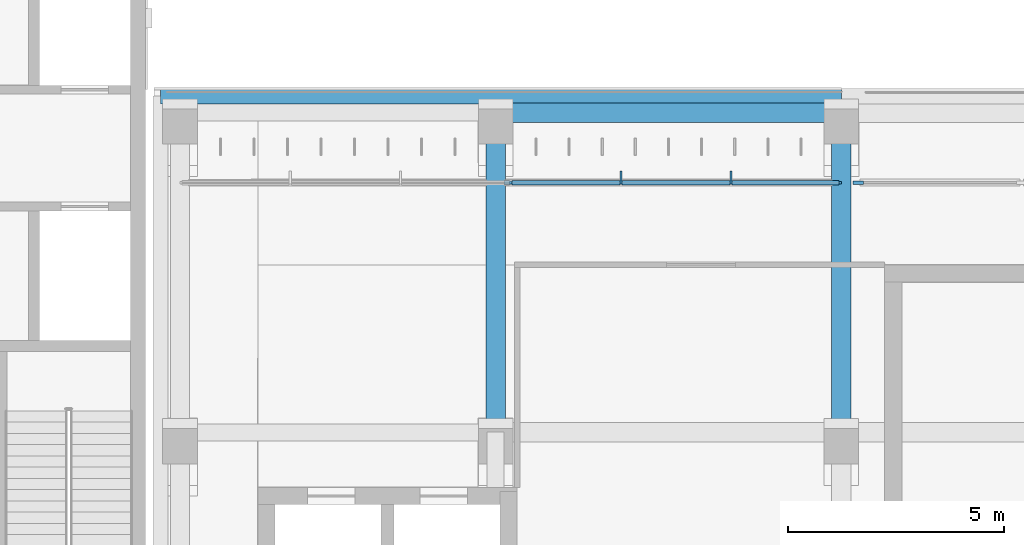
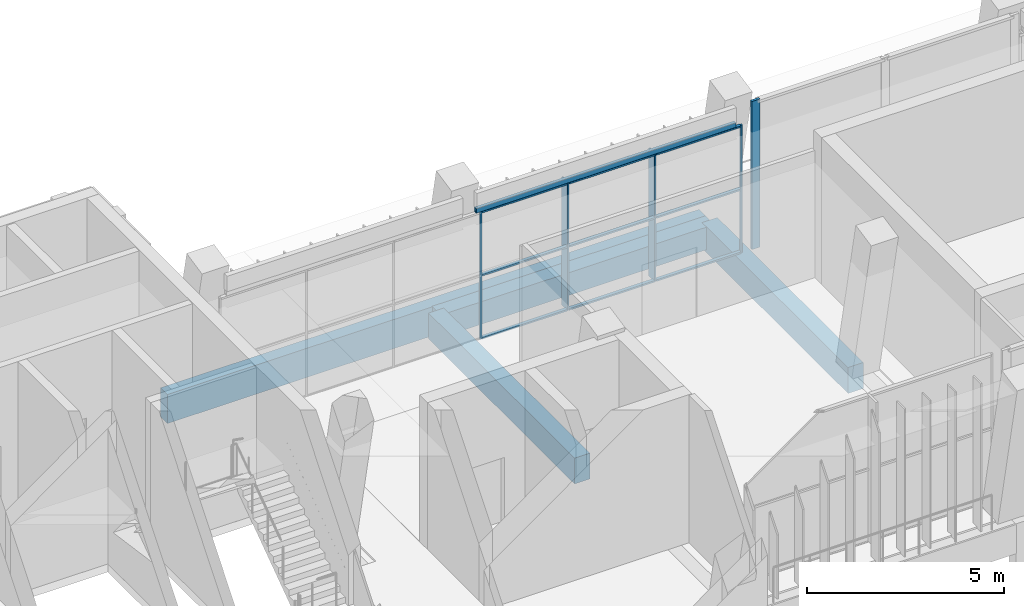
# One storey, part 15 of 89: 14 members, 5 beams, 2 elements without a shape of their own.
"""IFC4 building model written with IfcOpenShell, lengths in metres."""

from ifc_helpers import new_model, si_unit, direction, frame, origin, origin_2d, place, context, subcontext, project, spatial, rectangle, hollow_rectangle, extrude, material, material_profile, profile_set, type_object, element, aggregate, save


model = new_model("IFC4")

# Units and contexts
model_context = context("Model", 3, precision=1e-05, world=origin(), true_north=direction((0.0, 1.0)))
body_context = subcontext(model_context, "Body", "Model", "MODEL_VIEW")
ifc_project = project(units=[si_unit("LENGTHUNIT", "METRE"), si_unit("AREAUNIT", "SQUARE_METRE"), si_unit("VOLUMEUNIT", "CUBIC_METRE"), si_unit("PLANEANGLEUNIT", "RADIAN"), si_unit("MASSUNIT", "GRAM", prefix="KILO")], contexts=[model_context])

# Site, building, storey
site_placement = place(None, origin())
site = spatial("IfcSite", under=ifc_project, at=site_placement, CompositionType="ELEMENT")
building_placement = place(site_placement, origin())
building = spatial("IfcBuilding", under=site, at=building_placement, Name="Lantern Court Media Centre", CompositionType="ELEMENT")
storey_placement = place(building_placement, frame((0.0, 0.0, 14.39990234375)))
storey = spatial("IfcBuildingStorey", under=building, at=storey_placement, Name="L03", CompositionType="ELEMENT", Elevation=14.39990234375)

# Curtain wall, members
ifc_material_1 = material(Name="Curtain wall bay 2400")
curtain_wall_type_1 = type_object("IfcCurtainWallType", Name="Curtain wall bay 2400", PredefinedType="NOTDEFINED", material=ifc_material_1)
curtain_wall_1_placement = place(storey_placement, origin())
curtain_wall_1 = element("IfcCurtainWall", 1, at=curtain_wall_1_placement, inside=storey, type_object=curtain_wall_type_1, Name="Curtain wall S inner L03", PredefinedType="NOTDEFINED")
ifc_material_2 = material(Name="Anodised aluminium", Category="aluminium")
ifc_material_profile_1 = material_profile(ifc_material_2, rectangle(XDim=0.300048828125, YDim=0.050048828125, at=origin_2d()), Name="AL 50x300")
ifc_profile_set_1 = profile_set([ifc_material_profile_1], Name="Anodised aluminium")
member_type_1 = type_object("IfcMemberType", Name="Curtain wall mullion 50x300", PredefinedType="MULLION", material=ifc_profile_set_1)
member_1_placement = place(storey_placement, frame((34.89990234375, 58.969970703125, 0.0), z_axis=(0.0, 0.0, 1.0), x_axis=(0.0, 1.0, 0.0)))
member_1 = element("IfcMember", 2, at=member_1_placement, type_object=member_type_1, Name="CW2 mullion 5", PredefinedType="MULLION", context=body_context, shape_type="SweptSolid", body=[
    extrude(rectangle(XDim=0.300048828125, YDim=0.050048828125, at=origin_2d()), origin(), (0.0, 0.0, 1.0), 3.9501953125),
])
member_2_placement = place(storey_placement, frame((37.449951171875, 58.969970703125, 0.0), z_axis=(0.0, 0.0, 1.0), x_axis=(0.0, 1.0, 0.0)))
member_2 = element("IfcMember", 3, at=member_2_placement, type_object=member_type_1, Name="CW2 mullion 6", PredefinedType="MULLION", context=body_context, shape_type="SweptSolid", body=[
    extrude(rectangle(XDim=0.300048828125, YDim=0.050048828125, at=origin_2d()), origin(), (0.0, 0.0, 1.0), 3.9501953125),
])
ifc_material_profile_2 = material_profile(ifc_material_2, rectangle(XDim=0.06005859375, YDim=0.050048828125, at=origin_2d()), Name="AL 50x60")
ifc_profile_set_2 = profile_set([ifc_material_profile_2], Name="Anodised aluminium")
member_type_2 = type_object("IfcMemberType", Name="Curtain wall mullion 50x60", PredefinedType="MULLION", material=ifc_profile_set_2)
member_3_placement = place(storey_placement, frame((32.35009765625, 58.85009765625, 0.0), z_axis=(0.0, 0.0, 1.0), x_axis=(0.0, 1.0, 0.0)))
member_3 = element("IfcMember", 4, at=member_3_placement, type_object=member_type_2, Name="CW2 mullion 4", PredefinedType="MULLION", context=body_context, shape_type="SweptSolid", body=[
    extrude(rectangle(XDim=0.06005859375, YDim=0.050048828125, at=origin_2d()), origin(), (0.0, 0.0, 1.0), 3.9501953125),
])
member_4_placement = place(storey_placement, frame((39.97509765625, 58.85009765625, 0.0), z_axis=(0.0, 0.0, 1.0), x_axis=(0.0, 1.0, 0.0)))
member_4 = element("IfcMember", 5, at=member_4_placement, type_object=member_type_2, Name="CW2 mullion 7", PredefinedType="MULLION", context=body_context, shape_type="SweptSolid", body=[
    extrude(rectangle(XDim=0.06005859375, YDim=0.050048828125, at=origin_2d()), origin(), (0.0, 0.0, 1.0), 3.9501953125),
])

# Curtain wall, member
ifc_material_3 = material(Name="Curtain wall bay 4000")
curtain_wall_type_2 = type_object("IfcCurtainWallType", Name="Curtain wall bay 4000", PredefinedType="NOTDEFINED", material=ifc_material_3)
curtain_wall_2_placement = place(storey_placement, origin())
curtain_wall_2 = element("IfcCurtainWall", 6, at=curtain_wall_2_placement, inside=storey, type_object=curtain_wall_type_2, Name="Curtain wall S inner L03", PredefinedType="NOTDEFINED")
ifc_material_profile_3 = material_profile(ifc_material_2, rectangle(XDim=0.080078125, YDim=0.239990234375, at=origin_2d()), Name="AL 80x240")
ifc_profile_set_3 = profile_set([ifc_material_profile_3], Name="Anodised aluminium")
member_type_3 = type_object("IfcMemberType", Name="Curtain wall mullion 80x240", PredefinedType="MULLION", material=ifc_profile_set_3)
member_5_placement = place(storey_placement, frame((40.389892578125, 58.85009765625, 0.0), z_axis=(0.0, 0.0, 1.0), x_axis=(0.0, 1.0, 0.0)))
member_5 = element("IfcMember", 7, at=member_5_placement, type_object=member_type_3, Name="CW3 mullion 1", PredefinedType="MULLION", context=body_context, shape_type="SweptSolid", body=[
    extrude(rectangle(XDim=0.080078125, YDim=0.239990234375, at=origin_2d()), origin(), (0.0, 0.0, 1.0), 4.580078125),
])
aggregate(curtain_wall_2, [member_5])

# Member
ifc_material_profile_4 = material_profile(ifc_material_2, rectangle(XDim=0.10009765625, YDim=0.050048828125, at=origin_2d()), Name="AL 50x100")
ifc_profile_set_4 = profile_set([ifc_material_profile_4], Name="Anodised aluminium")
member_type_4 = type_object("IfcMemberType", Name="Curtain wall transom 100x50", PredefinedType="USERDEFINED", material=ifc_profile_set_4)
member_6_placement = place(storey_placement, frame((32.375, 58.85009765625, 0.025146484375), z_axis=(1.0, 0.0, 0.0), x_axis=(0.0, 1.0, 0.0)))
member_6 = element("IfcMember", 8, at=member_6_placement, type_object=member_type_4, Name="CW2 transom 4.1", ObjectType="TRANSOM", PredefinedType="USERDEFINED", context=body_context, shape_type="SweptSolid", body=[
    extrude(rectangle(XDim=0.10009765625, YDim=0.050048828125, at=origin_2d()), origin(), (0.0, 0.0, 1.0), 2.5),
])

member_7_placement = place(storey_placement, frame((32.375, 58.85009765625, 1.97509765625), z_axis=(1.0, 0.0, 0.0), x_axis=(0.0, 1.0, 0.0)))
member_7 = element("IfcMember", 9, at=member_7_placement, type_object=member_type_4, Name="CW2 transom 4.2", ObjectType="TRANSOM", PredefinedType="USERDEFINED", context=body_context, shape_type="SweptSolid", body=[
    extrude(rectangle(XDim=0.10009765625, YDim=0.050048828125, at=origin_2d()), origin(), (0.0, 0.0, 1.0), 2.5),
])

member_8_placement = place(storey_placement, frame((32.375, 58.85009765625, 3.925048828125), z_axis=(1.0, 0.0, 0.0), x_axis=(0.0, 1.0, 0.0)))
member_8 = element("IfcMember", 10, at=member_8_placement, type_object=member_type_4, Name="CW2 transom 4.3", ObjectType="TRANSOM", PredefinedType="USERDEFINED", context=body_context, shape_type="SweptSolid", body=[
    extrude(rectangle(XDim=0.10009765625, YDim=0.050048828125, at=origin_2d()), origin(), (0.0, 0.0, 1.0), 2.5),
])

member_9_placement = place(storey_placement, frame((34.925048828125, 58.85009765625, 0.025146484375), z_axis=(1.0, 0.0, 0.0), x_axis=(0.0, 1.0, 0.0)))
member_9 = element("IfcMember", 11, at=member_9_placement, type_object=member_type_4, Name="CW2 transom 5.1", ObjectType="TRANSOM", PredefinedType="USERDEFINED", context=body_context, shape_type="SweptSolid", body=[
    extrude(rectangle(XDim=0.10009765625, YDim=0.050048828125, at=origin_2d()), origin(), (0.0, 0.0, 1.0), 2.5),
])

member_10_placement = place(storey_placement, frame((34.925048828125, 58.85009765625, 1.97509765625), z_axis=(1.0, 0.0, 0.0), x_axis=(0.0, 1.0, 0.0)))
member_10 = element("IfcMember", 12, at=member_10_placement, type_object=member_type_4, Name="CW2 transom 5.2", ObjectType="TRANSOM", PredefinedType="USERDEFINED", context=body_context, shape_type="SweptSolid", body=[
    extrude(rectangle(XDim=0.10009765625, YDim=0.050048828125, at=origin_2d()), origin(), (0.0, 0.0, 1.0), 2.5),
])

member_11_placement = place(storey_placement, frame((34.925048828125, 58.85009765625, 3.925048828125), z_axis=(1.0, 0.0, 0.0), x_axis=(0.0, 1.0, 0.0)))
member_11 = element("IfcMember", 13, at=member_11_placement, type_object=member_type_4, Name="CW2 transom 5.3", ObjectType="TRANSOM", PredefinedType="USERDEFINED", context=body_context, shape_type="SweptSolid", body=[
    extrude(rectangle(XDim=0.10009765625, YDim=0.050048828125, at=origin_2d()), origin(), (0.0, 0.0, 1.0), 2.5),
])

member_12_placement = place(storey_placement, frame((37.47509765625, 58.85009765625, 0.025146484375), z_axis=(1.0, 0.0, 0.0), x_axis=(0.0, 1.0, 0.0)))
member_12 = element("IfcMember", 14, at=member_12_placement, type_object=member_type_4, Name="CW2 transom 6.1", ObjectType="TRANSOM", PredefinedType="USERDEFINED", context=body_context, shape_type="SweptSolid", body=[
    extrude(rectangle(XDim=0.10009765625, YDim=0.050048828125, at=origin_2d()), origin(), (0.0, 0.0, 1.0), 2.474853515625),
])

member_13_placement = place(storey_placement, frame((37.47509765625, 58.85009765625, 1.97509765625), z_axis=(1.0, 0.0, 0.0), x_axis=(0.0, 1.0, 0.0)))
member_13 = element("IfcMember", 15, at=member_13_placement, type_object=member_type_4, Name="CW2 transom 6.2", ObjectType="TRANSOM", PredefinedType="USERDEFINED", context=body_context, shape_type="SweptSolid", body=[
    extrude(rectangle(XDim=0.10009765625, YDim=0.050048828125, at=origin_2d()), origin(), (0.0, 0.0, 1.0), 2.474853515625),
])

member_14_placement = place(storey_placement, frame((37.47509765625, 58.85009765625, 3.925048828125), z_axis=(1.0, 0.0, 0.0), x_axis=(0.0, 1.0, 0.0)))
member_14 = element("IfcMember", 16, at=member_14_placement, type_object=member_type_4, Name="CW2 transom 6.3", ObjectType="TRANSOM", PredefinedType="USERDEFINED", context=body_context, shape_type="SweptSolid", body=[
    extrude(rectangle(XDim=0.10009765625, YDim=0.050048828125, at=origin_2d()), origin(), (0.0, 0.0, 1.0), 2.474853515625),
])

aggregate(curtain_wall_1, [member_3, member_1, member_2, member_4, member_6, member_7, member_8, member_9, member_10, member_11, member_12, member_13, member_14])

# Beams
ifc_material_4 = material(Name="Steel S355J2 (EN 10025-2)", Category="steel")
ifc_material_profile_5 = material_profile(ifc_material_4, hollow_rectangle(XDim=0.10009765625, YDim=0.14990234375, WallThickness=0.00634765625, InnerFilletRadius=0.00634765625, OuterFilletRadius=0.009521484375, at=origin_2d()), Name="Facade head lintel RHS 150x100x6.3")
ifc_profile_set_5 = profile_set([ifc_material_profile_5], Name="Steel S355J2 (EN 10025-2)")
beam_type_1 = type_object("IfcBeamType", Name="Facade head lintel RHS 150x100x6.3", PredefinedType="BEAM", material=ifc_profile_set_5)
beam_1_placement = place(storey_placement, frame((32.199951171875, 58.85009765625, 4.025146484375), z_axis=(1.0, 0.0, 0.0), x_axis=(0.0, 1.0, 0.0)))
element("IfcBeam", 17, at=beam_1_placement, inside=storey, type_object=beam_type_1, Name="Facade head lintel S L03", PredefinedType="BEAM", context=body_context, shape_type="SweptSolid", body=[
    extrude(hollow_rectangle(XDim=0.10009765625, YDim=0.14990234375, WallThickness=0.00634765625, InnerFilletRadius=0.00634765625, OuterFilletRadius=0.009521484375, at=origin_2d()), origin(), (0.0, 0.0, 1.0), 7.60009765625),
])
ifc_material_5 = material(Name="Concrete C35", Category="concrete")
ifc_material_profile_6 = material_profile(ifc_material_5, rectangle(XDim=0.35009765625, YDim=0.89990234375, at=origin_2d()), Name="RC 350x900")
ifc_profile_set_6 = profile_set([ifc_material_profile_6], Name="Concrete C35")
beam_type_2 = type_object("IfcBeamType", Name="RC BEAM 350x900", PredefinedType="BEAM", material=ifc_profile_set_6)
beam_2_placement = place(storey_placement, frame((24.25, 60.85009765625, -0.449951171875), z_axis=(1.0, 0.0, 0.0), x_axis=(0.0, 1.0, 0.0)))
element("IfcBeam", 18, at=beam_2_placement, inside=storey, type_object=beam_type_2, Name="EB-S-L03-B-0", PredefinedType="BEAM", context=body_context, shape_type="SweptSolid", body=[
    extrude(rectangle(XDim=0.35009765625, YDim=0.89990234375, at=origin_2d()), origin(), (0.0, 0.0, 1.0), 15.75),
])
ifc_material_profile_7 = material_profile(ifc_material_5, rectangle(XDim=0.449951171875, YDim=0.699951171875, at=origin_2d()), Name="RC 450x700")
ifc_profile_set_7 = profile_set([ifc_material_profile_7], Name="Concrete C35")
beam_type_3 = type_object("IfcBeamType", Name="RC BEAM 450x700", PredefinedType="BEAM", material=ifc_profile_set_7)
beam_3_placement = place(storey_placement, frame((32.0, 60.472900390625, -0.349853515625), z_axis=(1.0, 0.0, 0.0), x_axis=(0.0, 1.0, 0.0)))
element("IfcBeam", 19, at=beam_3_placement, inside=storey, type_object=beam_type_3, Name="LB-S-L03-2-1", PredefinedType="BEAM", context=body_context, shape_type="SweptSolid", body=[
    extrude(rectangle(XDim=0.449951171875, YDim=0.699951171875, at=origin_2d()), origin(), (0.0, 0.0, 1.0), 8.0),
])
ifc_material_profile_8 = material_profile(ifc_material_5, rectangle(XDim=0.449951171875, YDim=0.800048828125, at=origin_2d()), Name="RC 450x800")
ifc_profile_set_8 = profile_set([ifc_material_profile_8], Name="Concrete C35")
beam_type_4 = type_object("IfcBeamType", Name="RC BEAM 450x800", PredefinedType="BEAM", material=ifc_profile_set_8)
for number, where, z_axis, x_axis, name in (
    (20, (32.0, 53.083251953125, -0.39990234375), (0.0, 1.0, 0.0), (-1.0, 0.0, 0.0), "TB-S-L03-1-2"),
    (21, (40.0, 53.083251953125, -0.39990234375), (0.0, 1.0, 0.0), (-1.0, 0.0, 0.0), "TB-S-L03-2-2"),
):
    element("IfcBeam", number, at=place(storey_placement, frame(where, z_axis=z_axis, x_axis=x_axis)), inside=storey, type_object=beam_type_4, Name=name, PredefinedType="BEAM", context=body_context, shape_type="SweptSolid", body=[
        extrude(rectangle(XDim=0.449951171875, YDim=0.800048828125, at=origin_2d()), origin(), (0.0, 0.0, 1.0), 7.400146484375),
    ])

save(model, "model.ifc")
